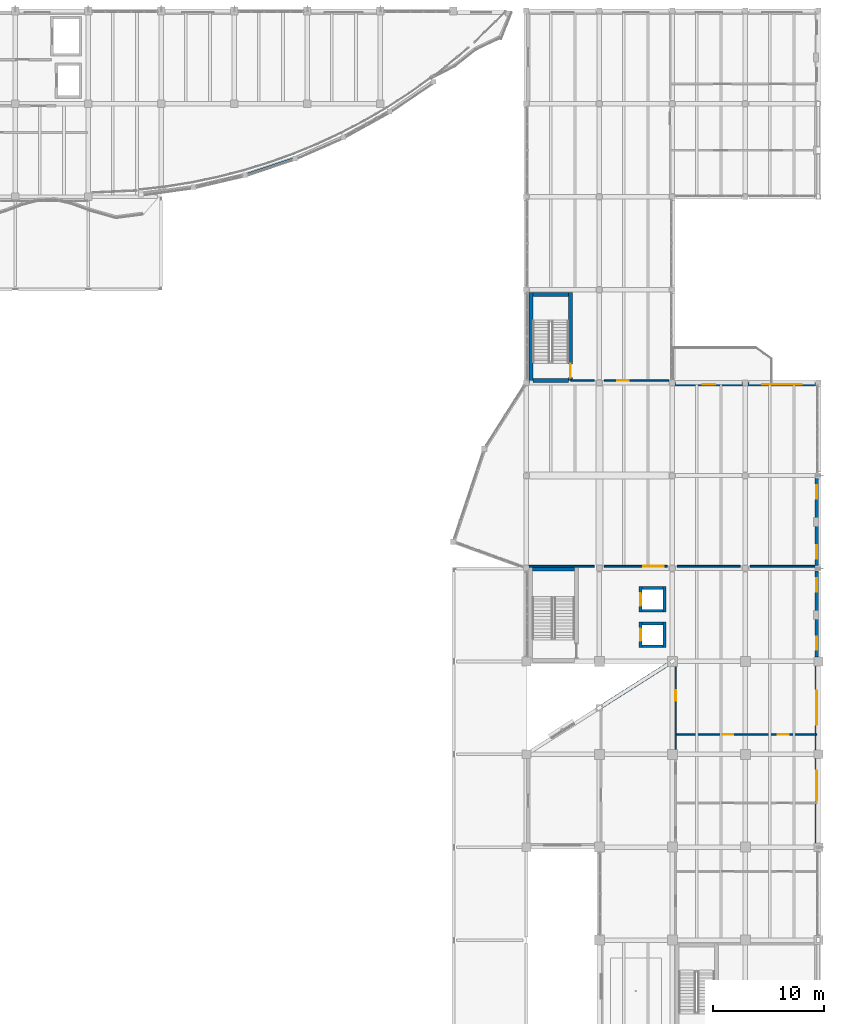
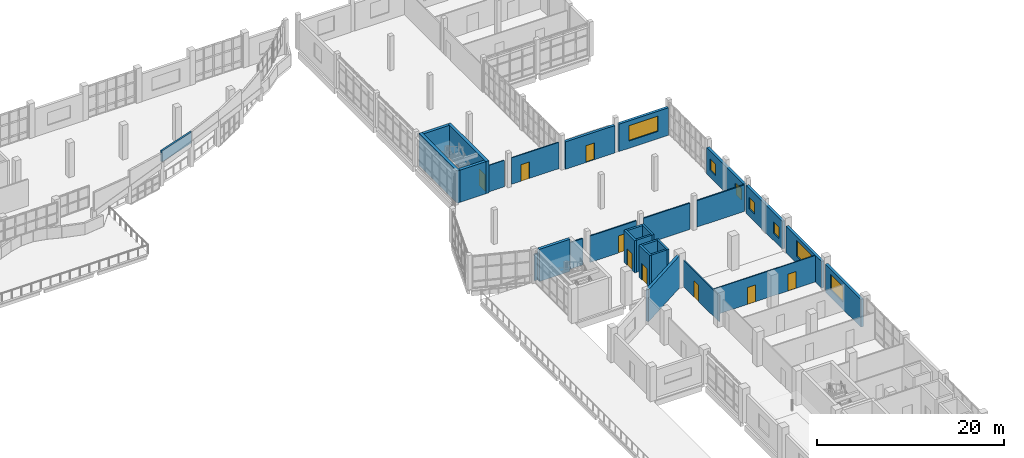
# One storey, part 58 of 83: 29 walls, 9 doors, 7 windows, 16 openings.
"""IFC4 building model written with IfcOpenShell, lengths in metres."""

from ifc_helpers import new_model, si_unit, direction, frame, frame_2d, origin, place, context, subcontext, project, spatial, rectangle, extrude, material, layer, layer_set, type_object, element, fill, save


model = new_model("IFC4")

# Units and contexts
model_context = context("Model", 3, precision=1e-05, world=origin(), true_north=direction((0.0, 1.0)))
body_context = subcontext(model_context, "Body", "Model", "MODEL_VIEW")
ifc_project = project(units=[si_unit("LENGTHUNIT", "METRE"), si_unit("AREAUNIT", "SQUARE_METRE"), si_unit("VOLUMEUNIT", "CUBIC_METRE"), si_unit("PLANEANGLEUNIT", "RADIAN"), si_unit("MASSUNIT", "GRAM", prefix="KILO")], contexts=[model_context])

# Site, building, storey
site_placement = place(None, origin())
site = spatial("IfcSite", under=ifc_project, at=site_placement, CompositionType="ELEMENT")
building_placement = place(site_placement, origin())
building = spatial("IfcBuilding", under=site, at=building_placement, Name="Qaldarim Faculty of Natural and Applied Sciences", CompositionType="ELEMENT")
storey_placement = place(building_placement, frame((0.0, 0.0, 5.39990234375)))
storey = spatial("IfcBuildingStorey", under=building, at=storey_placement, Name="L01", CompositionType="ELEMENT", Elevation=5.39990234375)

# Wall
ifc_material_1 = material(Name="Painted gypsum partition board")
ifc_layer_1 = layer(ifc_material_1, 0.1201171875)
ifc_layer_set_1 = layer_set([ifc_layer_1], Name="Painted gypsum partition board")
wall_type_1 = type_object("IfcWallType", Name="AcousticPartition-120", PredefinedType="PARTITIONING", material=ifc_layer_set_1)
wall_1_placement = place(storey_placement, frame((155.800048828125, 84.199951171875, 0.0), z_axis=(0.0, 0.0, 1.0), x_axis=(1.0, 0.0, 0.0)))
element("IfcWall", 1, at=wall_1_placement, inside=storey, type_object=wall_type_1, Name="Interior partition PRT-L01-V3-CMPS-S1", PredefinedType="PARTITIONING", context=body_context, shape_type="SweptSolid", body=[
    extrude(rectangle(XDim=2.14990234375, YDim=0.1201171875, at=frame_2d((1.074951171875, 0.0))), origin(), (0.0, 0.0, 1.0), 3.4501953125),
])

# Wall, opening, door
wall_2_placement = place(storey_placement, frame((158.85009765625, 84.199951171875, 0.0), z_axis=(0.0, 0.0, 1.0), x_axis=(1.0, 0.0, 0.0)))
wall_2 = element("IfcWall", 2, at=wall_2_placement, inside=storey, type_object=wall_type_1, Name="Interior partition PRT-L01-V3-CMPS-S2", PredefinedType="PARTITIONING", context=body_context, shape_type="SweptSolid", body=[
    extrude(rectangle(XDim=5.829833984375, YDim=0.1201171875, at=frame_2d((2.9150390625, 0.0))), origin(), (0.0, 0.0, 1.0), 3.4501953125),
])
opening_1_placement = place(wall_2_placement, frame((1.14990234375, 0.0, 0.0)))
opening_1 = element("IfcOpeningElement", 3, at=opening_1_placement, cuts=wall_2, Name="Opening ID02", PredefinedType="OPENING", context=body_context, shape_type="SweptSolid", body=[
    extrude(rectangle(XDim=1.050048828125, YDim=2.14990234375, at=frame_2d((0.52490234375, 1.074951171875))), frame((0.0, 0.070068359375, 0.0), z_axis=(0.0, -1.0, 0.0), x_axis=(1.0, 0.0, 0.0)), (0.0, 0.0, 1.0), 0.14013671875),
])
ifc_material_2 = material(Name="Oak hardwood", Category="wood")
door_type_1 = type_object("IfcDoorType", Name="AccessibleRoomDoor-1050x2150", OperationType="NOTDEFINED", PredefinedType="DOOR", material=ifc_material_2)
door_1_placement = place(opening_1_placement, origin())
door_1 = element("IfcDoor", 4, at=door_1_placement, inside=storey, type_object=door_type_1, Name="Interior door D-L01-198", OperationType="SINGLE_SWING_LEFT", OverallHeight=2.14990234375, OverallWidth=1.050048828125, PredefinedType="DOOR", context=body_context, shape_type="SweptSolid", body=[
    extrude(rectangle(XDim=1.050048828125, YDim=2.14990234375, at=frame_2d((0.52490234375, 1.074951171875))), frame((0.0, 0.02490234375, 0.0), z_axis=(0.0, -1.0, 0.0), x_axis=(1.0, 0.0, 0.0)), (0.0, 0.0, 1.0), 0.050048828125),
])
fill(opening_1, door_1)

wall_3_placement = place(storey_placement, frame((165.300048828125, 50.85009765625, 0.0), z_axis=(0.0, 0.0, 1.0), x_axis=(0.0, 1.0, 0.0)))
wall_3 = element("IfcWall", 5, at=wall_3_placement, inside=storey, type_object=wall_type_1, Name="Interior partition PRT-L01-V5-OFFW-S3", PredefinedType="PARTITIONING", context=body_context, shape_type="SweptSolid", body=[
    extrude(rectangle(XDim=7.64990234375, YDim=0.1201171875, at=frame_2d((3.824951171875, 0.0))), origin(), (0.0, 0.0, 1.0), 3.4501953125),
])
opening_2_placement = place(wall_3_placement, frame((4.39990234375, 0.0, 0.0)))
opening_2 = element("IfcOpeningElement", 6, at=opening_2_placement, cuts=wall_3, Name="Opening ID01", PredefinedType="OPENING", context=body_context, shape_type="SweptSolid", body=[
    extrude(rectangle(XDim=0.949951171875, YDim=2.14990234375, at=frame_2d((0.47509765625, 1.074951171875))), frame((0.0, 0.070068359375, 0.0), z_axis=(0.0, -1.0, 0.0), x_axis=(1.0, 0.0, 0.0)), (0.0, 0.0, 1.0), 0.14013671875),
])
door_type_2 = type_object("IfcDoorType", Name="SingleRoomDoor-950x2150", OperationType="NOTDEFINED", PredefinedType="DOOR", material=ifc_material_2)
door_2_placement = place(opening_2_placement, origin())
door_2 = element("IfcDoor", 7, at=door_2_placement, inside=storey, type_object=door_type_2, Name="Interior door D-L01-204", OperationType="SINGLE_SWING_RIGHT", OverallHeight=2.14990234375, OverallWidth=0.949951171875, PredefinedType="DOOR", context=body_context, shape_type="SweptSolid", body=[
    extrude(rectangle(XDim=0.949951171875, YDim=2.14990234375, at=frame_2d((0.47509765625, 1.074951171875))), frame((0.0, 0.02490234375, 0.0), z_axis=(0.0, -1.0, 0.0), x_axis=(1.0, 0.0, 0.0)), (0.0, 0.0, 1.0), 0.050048828125),
])
fill(opening_2, door_2)

# Wall, openings, doors
wall_4_placement = place(storey_placement, frame((165.300048828125, 52.199951171875, 0.0), z_axis=(0.0, 0.0, 1.0), x_axis=(1.0, 0.0, 0.0)))
wall_4 = element("IfcWall", 8, at=wall_4_placement, inside=storey, type_object=wall_type_1, Name="Interior partition PRT-L01-V5-SUB-3", PredefinedType="PARTITIONING", context=body_context, shape_type="SweptSolid", body=[
    extrude(rectangle(XDim=12.75, YDim=0.1201171875, at=frame_2d((6.375, 0.0))), origin(), (0.0, 0.0, 1.0), 3.4501953125),
])
opening_3_placement = place(wall_4_placement, frame((4.199951171875, 0.0, 0.0)))
opening_3 = element("IfcOpeningElement", 9, at=opening_3_placement, cuts=wall_4, Name="Opening ID08", PredefinedType="OPENING", context=body_context, shape_type="SweptSolid", body=[
    extrude(rectangle(XDim=1.0, YDim=2.199951171875, at=frame_2d((0.5, 1.10009765625))), frame((0.0, 0.070068359375, 0.0), z_axis=(0.0, -1.0, 0.0), x_axis=(1.0, 0.0, 0.0)), (0.0, 0.0, 1.0), 0.14013671875),
])
opening_4_placement = place(wall_4_placement, frame((9.199951171875, 0.0, 0.0)))
opening_4 = element("IfcOpeningElement", 10, at=opening_4_placement, cuts=wall_4, Name="Opening ID08", PredefinedType="OPENING", context=body_context, shape_type="SweptSolid", body=[
    extrude(rectangle(XDim=1.0, YDim=2.199951171875, at=frame_2d((0.5, 1.10009765625))), frame((0.0, 0.070068359375, 0.0), z_axis=(0.0, -1.0, 0.0), x_axis=(1.0, 0.0, 0.0)), (0.0, 0.0, 1.0), 0.14013671875),
])
door_type_3 = type_object("IfcDoorType", Name="SeminarRoomDoor-1000x2200", OperationType="NOTDEFINED", PredefinedType="DOOR", material=ifc_material_2)
door_3_placement = place(opening_3_placement, origin())
door_3 = element("IfcDoor", 11, at=door_3_placement, inside=storey, type_object=door_type_3, Name="Interior door D-L01-315", OperationType="SINGLE_SWING_LEFT", OverallHeight=2.199951171875, OverallWidth=1.0, PredefinedType="DOOR", context=body_context, shape_type="SweptSolid", body=[
    extrude(rectangle(XDim=1.0, YDim=2.199951171875, at=frame_2d((0.5, 1.10009765625))), frame((0.0, 0.02490234375, 0.0), z_axis=(0.0, -1.0, 0.0), x_axis=(1.0, 0.0, 0.0)), (0.0, 0.0, 1.0), 0.050048828125),
])
fill(opening_3, door_3)
door_4_placement = place(opening_4_placement, origin())
door_4 = element("IfcDoor", 12, at=door_4_placement, inside=storey, type_object=door_type_3, Name="Interior door D-L01-316", OperationType="SINGLE_SWING_RIGHT", OverallHeight=2.199951171875, OverallWidth=1.0, PredefinedType="DOOR", context=body_context, shape_type="SweptSolid", body=[
    extrude(rectangle(XDim=1.0, YDim=2.199951171875, at=frame_2d((0.5, 1.10009765625))), frame((0.0, 0.02490234375, 0.0), z_axis=(0.0, -1.0, 0.0), x_axis=(1.0, 0.0, 0.0)), (0.0, 0.0, 1.0), 0.050048828125),
])
fill(opening_4, door_4)

# Walls
ifc_material_3 = material(Name="Concrete C50/60", Category="concrete")
ifc_layer_2 = layer(ifc_material_3, 0.360107421875)
ifc_layer_set_2 = layer_set([ifc_layer_2], Name="Concrete C50/60")
wall_type_2 = type_object("IfcWallType", Name="CoreShearWall-360", PredefinedType="SHEAR", material=ifc_layer_set_2)
wall_5_placement = place(storey_placement, frame((152.35009765625, 67.1298828125, 0.0), z_axis=(0.0, 0.0, 1.0), x_axis=(1.0, 0.0, 0.0)))
element("IfcWall", 13, at=wall_5_placement, inside=storey, type_object=wall_type_2, Name="Core stair ST-C1 north shear wall L01", PredefinedType="SHEAR", context=body_context, shape_type="SweptSolid", body=[
    extrude(rectangle(XDim=3.7998046875, YDim=0.360107421875, at=frame_2d((1.89990234375, 0.0))), origin(), (0.0, 0.0, 1.0), 4.2001953125),
])
wall_6_placement = place(storey_placement, frame((152.219970703125, 83.989990234375, 0.0), z_axis=(0.0, 0.0, 1.0), x_axis=(0.0, 1.0, 0.0)))
element("IfcWall", 14, at=wall_6_placement, inside=storey, type_object=wall_type_2, Name="Core stair ST-C2 west shear wall L01", PredefinedType="SHEAR", context=body_context, shape_type="SweptSolid", body=[
    extrude(rectangle(XDim=8.169921875, YDim=0.360107421875, at=frame_2d((4.0849609375, 0.0))), origin(), (0.0, 0.0, 1.0), 4.2001953125),
])

# Wall, opening, door
wall_7_placement = place(storey_placement, frame((155.780029296875, 83.989990234375, 0.0), z_axis=(0.0, 0.0, 1.0), x_axis=(0.0, 1.0, 0.0)))
wall_7 = element("IfcWall", 15, at=wall_7_placement, inside=storey, type_object=wall_type_2, Name="Core stair ST-C2 east shear wall L01", PredefinedType="SHEAR", context=body_context, shape_type="SweptSolid", body=[
    extrude(rectangle(XDim=8.169921875, YDim=0.360107421875, at=frame_2d((4.0849609375, 0.0))), origin(), (0.0, 0.0, 1.0), 4.2001953125),
])
opening_5_placement = place(wall_7_placement, frame((0.449951171875, 0.0, 0.0)))
opening_5 = element("IfcOpeningElement", 16, at=opening_5_placement, cuts=wall_7, Name="Opening ID04", PredefinedType="OPENING", context=body_context, shape_type="SweptSolid", body=[
    extrude(rectangle(XDim=1.25, YDim=2.14990234375, at=frame_2d((0.625, 1.074951171875))), frame((0.0, 0.18994140625, 0.0), z_axis=(0.0, -1.0, 0.0), x_axis=(1.0, 0.0, 0.0)), (0.0, 0.0, 1.0), 0.380126953125),
])
ifc_material_4 = material(Name="Architectural stainless steel 316", Category="steel")
door_type_4 = type_object("IfcDoorType", Name="StairEnclosureFireDoor-1250x2150", OperationType="NOTDEFINED", PredefinedType="DOOR", material=ifc_material_4)
door_5_placement = place(opening_5_placement, origin())
door_5 = element("IfcDoor", 17, at=door_5_placement, inside=storey, type_object=door_type_4, Name="Protected stair ST-C2 fire door D-L01-545", OperationType="SINGLE_SWING_LEFT", OverallHeight=2.14990234375, OverallWidth=1.25, PredefinedType="DOOR", context=body_context, shape_type="SweptSolid", body=[
    extrude(rectangle(XDim=1.25, YDim=2.14990234375, at=frame_2d((0.625, 1.074951171875))), frame((0.0, 0.02490234375, 0.0), z_axis=(0.0, -1.0, 0.0), x_axis=(1.0, 0.0, 0.0)), (0.0, 0.0, 1.0), 0.050048828125),
])
fill(opening_5, door_5)

# Walls
for number, where, z_axis, x_axis, name in (
    (18, (152.39990234375, 91.97998046875, 0.0), (0.0, 0.0, 1.0), (1.0, 0.0, 0.0), "Core stair ST-C2 north shear wall L01"),
    (19, (152.39990234375, 84.169921875, 0.0), (0.0, 0.0, 1.0), (1.0, 0.0, 0.0), "Core stair ST-C2 south shear wall L01"),
):
    element("IfcWall", number, at=place(storey_placement, frame(where, z_axis=z_axis, x_axis=x_axis)), inside=storey, type_object=wall_type_2, Name=name, PredefinedType="SHEAR", context=body_context, shape_type="SweptSolid", body=[
        extrude(rectangle(XDim=3.2001953125, YDim=0.360107421875, at=frame_2d((1.60009765625, 0.0))), origin(), (0.0, 0.0, 1.0), 4.2001953125),
    ])

# Wall, opening, door
ifc_material_5 = material(Name="Precast concrete C40/50", Category="concrete")
ifc_layer_3 = layer(ifc_material_5, 0.320068359375)
ifc_layer_set_3 = layer_set([ifc_layer_3], Name="Precast concrete C40/50")
wall_type_3 = type_object("IfcWallType", Name="ExteriorLimestoneWall-320", PredefinedType="SOLIDWALL", material=ifc_layer_set_3)
wall_8_placement = place(storey_placement, frame((171.35498046875, 83.840087890625, 0.0), z_axis=(0.0, 0.0, 1.0), x_axis=(-1.0, 0.0, 0.0)))
wall_8 = element("IfcWall", 20, at=wall_8_placement, inside=storey, type_object=wall_type_3, Name="Exterior wall EW01 L01 N X26Y10", PredefinedType="SOLIDWALL", context=body_context, shape_type="SweptSolid", body=[
    extrude(rectangle(XDim=6.10986328125, YDim=0.320068359375, at=frame_2d((3.054931640625, 0.0))), origin(), (0.0, 0.0, 1.0), 3.585205078125),
])
opening_6_placement = place(wall_8_placement, frame((2.5048828125, 0.0, 0.0)))
opening_6 = element("IfcOpeningElement", 21, at=opening_6_placement, cuts=wall_8, Name="Opening ED03", PredefinedType="OPENING", context=body_context, shape_type="SweptSolid", body=[
    extrude(rectangle(XDim=1.10009765625, YDim=2.199951171875, at=frame_2d((0.550048828125, 1.10009765625))), frame((0.0, 0.169921875, 0.0), z_axis=(0.0, -1.0, 0.0), x_axis=(1.0, 0.0, 0.0)), (0.0, 0.0, 1.0), 0.340087890625),
])
ifc_material_6 = material(Name="Anodised aluminium AW-6063", Category="aluminium")
door_type_5 = type_object("IfcDoorType", Name="TerraceAccessDoor-1100x2200", OperationType="NOTDEFINED", PredefinedType="DOOR", material=ifc_material_6)
door_6_placement = place(opening_6_placement, frame((1.10009765625, 0.0, 0.0), z_axis=(0.0, 0.0, 1.0), x_axis=(-1.0, 0.0, 0.0)))
door_6 = element("IfcDoor", 22, at=door_6_placement, inside=storey, type_object=door_type_5, Name="Terrace access door D-L01-022", OperationType="SINGLE_SWING_LEFT", OverallHeight=2.199951171875, OverallWidth=1.10009765625, PredefinedType="DOOR", context=body_context, shape_type="SweptSolid", body=[
    extrude(rectangle(XDim=1.10009765625, YDim=2.199951171875, at=frame_2d((0.550048828125, 1.10009765625))), frame((0.0, 0.02490234375, 0.0), z_axis=(0.0, -1.0, 0.0), x_axis=(1.0, 0.0, 0.0)), (0.0, 0.0, 1.0), 0.050048828125),
])
fill(opening_6, door_6)

# Wall, opening, window
wall_9_placement = place(storey_placement, frame((178.0400390625, 42.39501953125, 0.0), z_axis=(0.0, 0.0, 1.0), x_axis=(0.0, 1.0, 0.0)))
wall_9 = element("IfcWall", 23, at=wall_9_placement, inside=storey, type_object=wall_type_3, Name="Exterior wall EW01 L01 E X27Y06", PredefinedType="SOLIDWALL", context=body_context, shape_type="SweptSolid", body=[
    extrude(rectangle(XDim=7.60986328125, YDim=0.320068359375, at=frame_2d((3.804931640625, 0.0))), origin(), (0.0, 0.0, 1.0), 3.635009765625),
])
opening_7_placement = place(wall_9_placement, frame((3.824951171875, 0.0, 0.949951171875)))
opening_7 = element("IfcOpeningElement", 24, at=opening_7_placement, cuts=wall_9, Name="Opening WN29", PredefinedType="OPENING", context=body_context, shape_type="SweptSolid", body=[
    extrude(rectangle(XDim=2.699951171875, YDim=2.050048828125, at=frame_2d((1.35009765625, 1.02490234375))), frame((0.0, 0.169921875, 0.0), z_axis=(0.0, -1.0, 0.0), x_axis=(1.0, 0.0, 0.0)), (0.0, 0.0, 1.0), 0.340087890625),
])
ifc_material_7 = material(Name="Insulated low-e double glazing", Category="glass")
window_type_1 = type_object("IfcWindowType", Name="GalleryWindow-2700x2050", PartitioningType="TRIPLE_PANEL_VERTICAL", PredefinedType="WINDOW", material=ifc_material_7)
window_1_placement = place(opening_7_placement, origin())
window_1 = element("IfcWindow", 25, at=window_1_placement, inside=storey, type_object=window_type_1, Name="Facade window WN29 L01 E X27Y06", OverallHeight=2.050048828125, OverallWidth=2.699951171875, PartitioningType="SINGLE_PANEL", PredefinedType="WINDOW", context=body_context, shape_type="SweptSolid", body=[
    extrude(rectangle(XDim=2.699951171875, YDim=2.050048828125, at=frame_2d((1.35009765625, 1.02490234375))), frame((0.0, 0.030029296875, 0.0), z_axis=(0.0, -1.0, 0.0), x_axis=(1.0, 0.0, 0.0)), (0.0, 0.0, 1.0), 0.06005859375),
])
fill(opening_7, window_1)

wall_10_placement = place(storey_placement, frame((178.0400390625, 50.794921875, 0.0), z_axis=(0.0, 0.0, 1.0), x_axis=(0.0, 1.0, 0.0)))
wall_10 = element("IfcWall", 26, at=wall_10_placement, inside=storey, type_object=wall_type_3, Name="Exterior wall EW01 L01 E X27Y07", PredefinedType="SOLIDWALL", context=body_context, shape_type="SweptSolid", body=[
    extrude(rectangle(XDim=7.610107421875, YDim=0.320068359375, at=frame_2d((3.80517578125, 0.0))), origin(), (0.0, 0.0, 1.0), 3.485107421875),
])
opening_8_placement = place(wall_10_placement, frame((2.2548828125, 0.0, 0.949951171875)))
opening_8 = element("IfcOpeningElement", 27, at=opening_8_placement, cuts=wall_10, Name="Opening WN30", PredefinedType="OPENING", context=body_context, shape_type="SweptSolid", body=[
    extrude(rectangle(XDim=3.10009765625, YDim=2.050048828125, at=frame_2d((1.550048828125, 1.02490234375))), frame((0.0, 0.169921875, 0.0), z_axis=(0.0, -1.0, 0.0), x_axis=(1.0, 0.0, 0.0)), (0.0, 0.0, 1.0), 0.340087890625),
])
window_type_2 = type_object("IfcWindowType", Name="GalleryWindow-3100x2050", PartitioningType="TRIPLE_PANEL_VERTICAL", PredefinedType="WINDOW", material=ifc_material_7)
window_2_placement = place(opening_8_placement, origin())
window_2 = element("IfcWindow", 28, at=window_2_placement, inside=storey, type_object=window_type_2, Name="Facade window WN30 L01 E X27Y07", OverallHeight=2.050048828125, OverallWidth=3.10009765625, PartitioningType="SINGLE_PANEL", PredefinedType="WINDOW", context=body_context, shape_type="SweptSolid", body=[
    extrude(rectangle(XDim=3.10009765625, YDim=2.050048828125, at=frame_2d((1.550048828125, 1.02490234375))), frame((0.0, 0.030029296875, 0.0), z_axis=(0.0, -1.0, 0.0), x_axis=(1.0, 0.0, 0.0)), (0.0, 0.0, 1.0), 0.06005859375),
])
fill(opening_8, window_2)

# Wall, openings, windows
wall_11_placement = place(storey_placement, frame((178.0400390625, 59.195068359375, 0.0), z_axis=(0.0, 0.0, 1.0), x_axis=(0.0, 1.0, 0.0)))
wall_11 = element("IfcWall", 29, at=wall_11_placement, inside=storey, type_object=wall_type_3, Name="Exterior wall EW01 L01 E X27Y08", PredefinedType="SOLIDWALL", context=body_context, shape_type="SweptSolid", body=[
    extrude(rectangle(XDim=7.760009765625, YDim=0.320068359375, at=frame_2d((3.8798828125, 0.0))), origin(), (0.0, 0.0, 1.0), 3.635009765625),
])
opening_9_placement = place(wall_11_placement, frame((0.64990234375, 0.0, 0.949951171875)))
opening_9 = element("IfcOpeningElement", 30, at=opening_9_placement, cuts=wall_11, Name="Opening WN01", PredefinedType="OPENING", context=body_context, shape_type="SweptSolid", body=[
    extrude(rectangle(XDim=1.199951171875, YDim=1.5, at=frame_2d((0.60009765625, 0.75))), frame((0.0, 0.169921875, 0.0), z_axis=(0.0, -1.0, 0.0), x_axis=(1.0, 0.0, 0.0)), (0.0, 0.0, 1.0), 0.340087890625),
])
opening_10_placement = place(wall_11_placement, frame((5.909912109375, 0.0, 0.949951171875)))
opening_10 = element("IfcOpeningElement", 31, at=opening_10_placement, cuts=wall_11, Name="Opening WN01", PredefinedType="OPENING", context=body_context, shape_type="SweptSolid", body=[
    extrude(rectangle(XDim=1.199951171875, YDim=1.5, at=frame_2d((0.60009765625, 0.75))), frame((0.0, 0.169921875, 0.0), z_axis=(0.0, -1.0, 0.0), x_axis=(1.0, 0.0, 0.0)), (0.0, 0.0, 1.0), 0.340087890625),
])
window_type_3 = type_object("IfcWindowType", Name="Window-1200x1500", PartitioningType="SINGLE_PANEL", PredefinedType="WINDOW", material=ifc_material_7)
window_3_placement = place(opening_9_placement, origin())
window_3 = element("IfcWindow", 32, at=window_3_placement, inside=storey, type_object=window_type_3, Name="Pilaster-bay flanking window L01 E X27Y08-1", OverallHeight=1.5, OverallWidth=1.199951171875, PartitioningType="SINGLE_PANEL", PredefinedType="WINDOW", context=body_context, shape_type="SweptSolid", body=[
    extrude(rectangle(XDim=1.199951171875, YDim=1.5, at=frame_2d((0.60009765625, 0.75))), frame((0.0, 0.030029296875, 0.0), z_axis=(0.0, -1.0, 0.0), x_axis=(1.0, 0.0, 0.0)), (0.0, 0.0, 1.0), 0.06005859375),
])
fill(opening_9, window_3)
window_4_placement = place(opening_10_placement, origin())
window_4 = element("IfcWindow", 33, at=window_4_placement, inside=storey, type_object=window_type_3, Name="Pilaster-bay flanking window L01 E X27Y08-2", OverallHeight=1.5, OverallWidth=1.199951171875, PartitioningType="SINGLE_PANEL", PredefinedType="WINDOW", context=body_context, shape_type="SweptSolid", body=[
    extrude(rectangle(XDim=1.199951171875, YDim=1.5, at=frame_2d((0.60009765625, 0.75))), frame((0.0, 0.030029296875, 0.0), z_axis=(0.0, -1.0, 0.0), x_axis=(1.0, 0.0, 0.0)), (0.0, 0.0, 1.0), 0.06005859375),
])
fill(opening_10, window_4)

wall_12_placement = place(storey_placement, frame((178.0400390625, 67.445068359375, 0.0), z_axis=(0.0, 0.0, 1.0), x_axis=(0.0, 1.0, 0.0)))
wall_12 = element("IfcWall", 34, at=wall_12_placement, inside=storey, type_object=wall_type_3, Name="Exterior wall EW01 L01 E X27Y09", PredefinedType="SOLIDWALL", context=body_context, shape_type="SweptSolid", body=[
    extrude(rectangle(XDim=7.909912109375, YDim=0.320068359375, at=frame_2d((3.955078125, 0.0))), origin(), (0.0, 0.0, 1.0), 3.485107421875),
])
opening_11_placement = place(wall_12_placement, frame((0.64990234375, 0.0, 0.949951171875)))
opening_11 = element("IfcOpeningElement", 35, at=opening_11_placement, cuts=wall_12, Name="Opening WN01", PredefinedType="OPENING", context=body_context, shape_type="SweptSolid", body=[
    extrude(rectangle(XDim=1.199951171875, YDim=1.5, at=frame_2d((0.60009765625, 0.75))), frame((0.0, 0.169921875, 0.0), z_axis=(0.0, -1.0, 0.0), x_axis=(1.0, 0.0, 0.0)), (0.0, 0.0, 1.0), 0.340087890625),
])
opening_12_placement = place(wall_12_placement, frame((6.06005859375, 0.0, 0.949951171875)))
opening_12 = element("IfcOpeningElement", 36, at=opening_12_placement, cuts=wall_12, Name="Opening WN01", PredefinedType="OPENING", context=body_context, shape_type="SweptSolid", body=[
    extrude(rectangle(XDim=1.199951171875, YDim=1.5, at=frame_2d((0.60009765625, 0.75))), frame((0.0, 0.169921875, 0.0), z_axis=(0.0, -1.0, 0.0), x_axis=(1.0, 0.0, 0.0)), (0.0, 0.0, 1.0), 0.340087890625),
])
window_5_placement = place(opening_11_placement, origin())
window_5 = element("IfcWindow", 37, at=window_5_placement, inside=storey, type_object=window_type_3, Name="Pilaster-bay flanking window L01 E X27Y09-1", OverallHeight=1.5, OverallWidth=1.199951171875, PartitioningType="SINGLE_PANEL", PredefinedType="WINDOW", context=body_context, shape_type="SweptSolid", body=[
    extrude(rectangle(XDim=1.199951171875, YDim=1.5, at=frame_2d((0.60009765625, 0.75))), frame((0.0, 0.030029296875, 0.0), z_axis=(0.0, -1.0, 0.0), x_axis=(1.0, 0.0, 0.0)), (0.0, 0.0, 1.0), 0.06005859375),
])
fill(opening_11, window_5)
window_6_placement = place(opening_12_placement, origin())
window_6 = element("IfcWindow", 38, at=window_6_placement, inside=storey, type_object=window_type_3, Name="Pilaster-bay flanking window L01 E X27Y09-2", OverallHeight=1.5, OverallWidth=1.199951171875, PartitioningType="SINGLE_PANEL", PredefinedType="WINDOW", context=body_context, shape_type="SweptSolid", body=[
    extrude(rectangle(XDim=1.199951171875, YDim=1.5, at=frame_2d((0.60009765625, 0.75))), frame((0.0, 0.030029296875, 0.0), z_axis=(0.0, -1.0, 0.0), x_axis=(1.0, 0.0, 0.0)), (0.0, 0.0, 1.0), 0.06005859375),
])
fill(opening_12, window_6)

# Wall, opening, window
wall_13_placement = place(storey_placement, frame((177.955078125, 83.840087890625, 0.0), z_axis=(0.0, 0.0, 1.0), x_axis=(-1.0, 0.0, 0.0)))
wall_13 = element("IfcWall", 39, at=wall_13_placement, inside=storey, type_object=wall_type_3, Name="Exterior wall EW01 L01 N X27Y10", PredefinedType="SOLIDWALL", context=body_context, shape_type="SweptSolid", body=[
    extrude(rectangle(XDim=6.110107421875, YDim=0.320068359375, at=frame_2d((3.05517578125, 0.0))), origin(), (0.0, 0.0, 1.0), 3.585205078125),
])
opening_13_placement = place(wall_13_placement, frame((1.2548828125, 0.0, 0.949951171875)))
opening_13 = element("IfcOpeningElement", 40, at=opening_13_placement, cuts=wall_13, Name="Opening WN07", PredefinedType="OPENING", context=body_context, shape_type="SweptSolid", body=[
    extrude(rectangle(XDim=3.60009765625, YDim=2.0, at=frame_2d((1.800048828125, 1.0))), frame((0.0, 0.169921875, 0.0), z_axis=(0.0, -1.0, 0.0), x_axis=(1.0, 0.0, 0.0)), (0.0, 0.0, 1.0), 0.340087890625),
])
window_type_4 = type_object("IfcWindowType", Name="Window-3600x2000", PartitioningType="TRIPLE_PANEL_VERTICAL", PredefinedType="WINDOW", material=ifc_material_7)
window_7_placement = place(opening_13_placement, origin())
window_7 = element("IfcWindow", 41, at=window_7_placement, inside=storey, type_object=window_type_4, Name="Facade window WN07 L01 N X27Y10", OverallHeight=2.0, OverallWidth=3.60009765625, PartitioningType="SINGLE_PANEL", PredefinedType="WINDOW", context=body_context, shape_type="SweptSolid", body=[
    extrude(rectangle(XDim=3.60009765625, YDim=2.0, at=frame_2d((1.800048828125, 1.0))), frame((0.0, 0.030029296875, 0.0), z_axis=(0.0, -1.0, 0.0), x_axis=(1.0, 0.0, 0.0)), (0.0, 0.0, 1.0), 0.06005859375),
])
fill(opening_13, window_7)

# Walls
ifc_layer_4 = layer(ifc_material_3, 0.340087890625)
ifc_layer_set_4 = layer_set([ifc_layer_4], Name="Concrete C50/60")
wall_type_4 = type_object("IfcWallType", Name="ExteriorStairShearWall-340", PredefinedType="SHEAR", material=ifc_layer_set_4)
wall_14_placement = place(storey_placement, frame((158.64990234375, 54.760009765625, 0.0), z_axis=(0.0, 0.0, 1.0), x_axis=(0.843786613851, 0.536678814829, 0.0)))
element("IfcWall", 42, at=wall_14_placement, inside=storey, type_object=wall_type_4, Name="Oblique NW chamfer braced wall L01 2", PredefinedType="SHEAR", context=body_context, shape_type="SweptSolid", body=[
    extrude(rectangle(XDim=7.2294921875, YDim=0.340087890625, at=frame_2d((3.61474609375, 0.0))), origin(), (0.0, 0.0, 1.0), 4.2001953125),
])
ifc_material_8 = material(Name="Concrete C40/50", Category="concrete")
ifc_layer_5 = layer(ifc_material_8, 0.159912109375)
ifc_layer_set_5 = layer_set([ifc_layer_5], Name="Concrete C40/50")
wall_type_5 = type_object("IfcWallType", Name="FireCorridorWall-160", PredefinedType="PARTITIONING", material=ifc_layer_set_5)
wall_15_placement = place(storey_placement, frame((152.0, 67.39990234375, 0.0), z_axis=(0.0, 0.0, 1.0), x_axis=(1.0, 0.0, 0.0)))
element("IfcWall", 43, at=wall_15_placement, inside=storey, type_object=wall_type_5, Name="Interior partition PRT-L01-V3-COMS-S1", PredefinedType="PARTITIONING", context=body_context, shape_type="SweptSolid", body=[
    extrude(rectangle(XDim=5.949951171875, YDim=0.159912109375, at=frame_2d((2.97509765625, 0.0))), origin(), (0.0, 0.0, 1.0), 3.4501953125),
])

# Wall, opening, door
wall_16_placement = place(storey_placement, frame((158.85009765625, 67.39990234375, 0.0), z_axis=(0.0, 0.0, 1.0), x_axis=(1.0, 0.0, 0.0)))
wall_16 = element("IfcWall", 44, at=wall_16_placement, inside=storey, type_object=wall_type_5, Name="Interior partition PRT-L01-V3-COMS-S2", PredefinedType="PARTITIONING", context=body_context, shape_type="SweptSolid", body=[
    extrude(rectangle(XDim=5.699951171875, YDim=0.159912109375, at=frame_2d((2.85009765625, 0.0))), origin(), (0.0, 0.0, 1.0), 3.4501953125),
])
opening_14_placement = place(wall_16_placement, frame((3.5, 0.0, 0.0)))
opening_14 = element("IfcOpeningElement", 45, at=opening_14_placement, cuts=wall_16, Name="Opening ID05", PredefinedType="OPENING", context=body_context, shape_type="SweptSolid", body=[
    extrude(rectangle(XDim=1.85009765625, YDim=2.25, at=frame_2d((0.925048828125, 1.125))), frame((0.0, 0.08984375, 0.0), z_axis=(0.0, -1.0, 0.0), x_axis=(1.0, 0.0, 0.0)), (0.0, 0.0, 1.0), 0.179931640625),
])
door_type_6 = type_object("IfcDoorType", Name="LectureDoubleDoor-1850x2250", OperationType="NOTDEFINED", PredefinedType="DOOR", material=ifc_material_2)
door_7_placement = place(opening_14_placement, origin())
door_7 = element("IfcDoor", 46, at=door_7_placement, inside=storey, type_object=door_type_6, Name="Interior door D-L01-197", OperationType="DOUBLE_DOOR_SINGLE_SWING", OverallHeight=2.25, OverallWidth=1.85009765625, PredefinedType="DOOR", context=body_context, shape_type="SweptSolid", body=[
    extrude(rectangle(XDim=1.85009765625, YDim=2.25, at=frame_2d((0.925048828125, 1.125))), frame((0.0, 0.02490234375, 0.0), z_axis=(0.0, -1.0, 0.0), x_axis=(1.0, 0.0, 0.0)), (0.0, 0.0, 1.0), 0.050048828125),
])
fill(opening_14, door_7)

# Walls
wall_17_placement = place(storey_placement, frame((165.449951171875, 67.39990234375, 0.0), z_axis=(0.0, 0.0, 1.0), x_axis=(1.0, 0.0, 0.0)))
element("IfcWall", 47, at=wall_17_placement, inside=storey, type_object=wall_type_5, Name="Interior partition PRT-L01-V3-COMS-S3", PredefinedType="PARTITIONING", context=body_context, shape_type="SweptSolid", body=[
    extrude(rectangle(XDim=5.699951171875, YDim=0.159912109375, at=frame_2d((2.85009765625, 0.0))), origin(), (0.0, 0.0, 1.0), 3.4501953125),
])
wall_18_placement = place(storey_placement, frame((172.050048828125, 67.39990234375, 0.0), z_axis=(0.0, 0.0, 1.0), x_axis=(1.0, 0.0, 0.0)))
element("IfcWall", 48, at=wall_18_placement, inside=storey, type_object=wall_type_5, Name="Interior partition PRT-L01-V3-COMS-S4", PredefinedType="PARTITIONING", context=body_context, shape_type="SweptSolid", body=[
    extrude(rectangle(XDim=5.829833984375, YDim=0.159912109375, at=frame_2d((2.9150390625, 0.0))), origin(), (0.0, 0.0, 1.0), 3.4501953125),
])

# Wall, opening, door
ifc_layer_6 = layer(ifc_material_8, 0.25)
ifc_layer_set_6 = layer_set([ifc_layer_6], Name="Concrete C40/50")
wall_type_6 = type_object("IfcWallType", Name="LiftShaftWall-250", PredefinedType="SHEAR", material=ifc_layer_set_6)
wall_19_placement = place(storey_placement, frame((162.125, 60.050048828125, 0.0), z_axis=(0.0, 0.0, 1.0), x_axis=(0.0, 1.0, 0.0)))
wall_19 = element("IfcWall", 49, at=wall_19_placement, inside=storey, type_object=wall_type_6, Name="Lift LF-C1 front shaft wall L01", PredefinedType="SHEAR", context=body_context, shape_type="SweptSolid", body=[
    extrude(rectangle(XDim=2.300048828125, YDim=0.25, at=frame_2d((1.14990234375, 0.0))), origin(), (0.0, 0.0, 1.0), 4.2001953125),
])
opening_15_placement = place(wall_19_placement, frame((0.60009765625, 0.0, 0.0)))
opening_15 = element("IfcOpeningElement", 50, at=opening_15_placement, cuts=wall_19, Name="Opening LD01", PredefinedType="OPENING", context=body_context, shape_type="SweptSolid", body=[
    extrude(rectangle(XDim=1.10009765625, YDim=2.14990234375, at=frame_2d((0.550048828125, 1.074951171875))), frame((0.0, 0.135009765625, 0.0), z_axis=(0.0, -1.0, 0.0), x_axis=(1.0, 0.0, 0.0)), (0.0, 0.0, 1.0), 0.27001953125),
])
door_type_7 = type_object("IfcDoorType", Name="LiftLandingSlidingDoor-1100x2150", OperationType="NOTDEFINED", PredefinedType="DOOR", material=ifc_material_4)
door_8_placement = place(opening_15_placement, origin())
door_8 = element("IfcDoor", 51, at=door_8_placement, inside=storey, type_object=door_type_7, Name="Lift landing sliding door LF-C1 D-L01-652", OperationType="SLIDING_TO_LEFT", OverallHeight=2.14990234375, OverallWidth=1.10009765625, PredefinedType="DOOR", context=body_context, shape_type="SweptSolid", body=[
    extrude(rectangle(XDim=1.10009765625, YDim=2.14990234375, at=frame_2d((0.550048828125, 1.074951171875))), frame((0.0, 0.02490234375, 0.0), z_axis=(0.0, -1.0, 0.0), x_axis=(1.0, 0.0, 0.0)), (0.0, 0.0, 1.0), 0.050048828125),
])
fill(opening_15, door_8)

# Walls
wall_20_placement = place(storey_placement, frame((164.27490234375, 60.050048828125, 0.0), z_axis=(0.0, 0.0, 1.0), x_axis=(0.0, 1.0, 0.0)))
element("IfcWall", 52, at=wall_20_placement, inside=storey, type_object=wall_type_6, Name="Lift LF-C1 rear shaft wall L01", PredefinedType="SHEAR", context=body_context, shape_type="SweptSolid", body=[
    extrude(rectangle(XDim=2.300048828125, YDim=0.25, at=frame_2d((1.14990234375, 0.0))), origin(), (0.0, 0.0, 1.0), 4.2001953125),
])
for number, where, z_axis, x_axis, name in (
    (53, (162.25, 60.175048828125, 0.0), (0.0, 0.0, 1.0), (1.0, 0.0, 0.0), "Lift LF-C1 south shaft wall L01"),
    (54, (162.25, 62.22509765625, 0.0), (0.0, 0.0, 1.0), (1.0, 0.0, 0.0), "Lift LF-C1 north shaft wall L01"),
):
    element("IfcWall", number, at=place(storey_placement, frame(where, z_axis=z_axis, x_axis=x_axis)), inside=storey, type_object=wall_type_6, Name=name, PredefinedType="SHEAR", context=body_context, shape_type="SweptSolid", body=[
        extrude(rectangle(XDim=1.89990234375, YDim=0.25, at=frame_2d((0.949951171875, 0.0))), origin(), (0.0, 0.0, 1.0), 4.2001953125),
    ])

# Wall, opening, door
wall_21_placement = place(storey_placement, frame((162.125, 63.25, 0.0), z_axis=(0.0, 0.0, 1.0), x_axis=(0.0, 1.0, 0.0)))
wall_21 = element("IfcWall", 55, at=wall_21_placement, inside=storey, type_object=wall_type_6, Name="Lift LF-C2 front shaft wall L01", PredefinedType="SHEAR", context=body_context, shape_type="SweptSolid", body=[
    extrude(rectangle(XDim=2.300048828125, YDim=0.25, at=frame_2d((1.14990234375, 0.0))), origin(), (0.0, 0.0, 1.0), 4.2001953125),
])
opening_16_placement = place(wall_21_placement, frame((0.60009765625, 0.0, 0.0)))
opening_16 = element("IfcOpeningElement", 56, at=opening_16_placement, cuts=wall_21, Name="Opening LD01", PredefinedType="OPENING", context=body_context, shape_type="SweptSolid", body=[
    extrude(rectangle(XDim=1.10009765625, YDim=2.14990234375, at=frame_2d((0.550048828125, 1.074951171875))), frame((0.0, 0.135009765625, 0.0), z_axis=(0.0, -1.0, 0.0), x_axis=(1.0, 0.0, 0.0)), (0.0, 0.0, 1.0), 0.27001953125),
])
door_9_placement = place(opening_16_placement, origin())
door_9 = element("IfcDoor", 57, at=door_9_placement, inside=storey, type_object=door_type_7, Name="Lift landing sliding door LF-C2 D-L01-658", OperationType="SLIDING_TO_LEFT", OverallHeight=2.14990234375, OverallWidth=1.10009765625, PredefinedType="DOOR", context=body_context, shape_type="SweptSolid", body=[
    extrude(rectangle(XDim=1.10009765625, YDim=2.14990234375, at=frame_2d((0.550048828125, 1.074951171875))), frame((0.0, 0.02490234375, 0.0), z_axis=(0.0, -1.0, 0.0), x_axis=(1.0, 0.0, 0.0)), (0.0, 0.0, 1.0), 0.050048828125),
])
fill(opening_16, door_9)

# Walls
wall_22_placement = place(storey_placement, frame((164.27490234375, 63.25, 0.0), z_axis=(0.0, 0.0, 1.0), x_axis=(0.0, 1.0, 0.0)))
element("IfcWall", 58, at=wall_22_placement, inside=storey, type_object=wall_type_6, Name="Lift LF-C2 rear shaft wall L01", PredefinedType="SHEAR", context=body_context, shape_type="SweptSolid", body=[
    extrude(rectangle(XDim=2.300048828125, YDim=0.25, at=frame_2d((1.14990234375, 0.0))), origin(), (0.0, 0.0, 1.0), 4.2001953125),
])
for number, where, z_axis, x_axis, name in (
    (59, (162.25, 63.375, 0.0), (0.0, 0.0, 1.0), (1.0, 0.0, 0.0), "Lift LF-C2 south shaft wall L01"),
    (60, (162.25, 65.425048828125, 0.0), (0.0, 0.0, 1.0), (1.0, 0.0, 0.0), "Lift LF-C2 north shaft wall L01"),
):
    element("IfcWall", number, at=place(storey_placement, frame(where, z_axis=z_axis, x_axis=x_axis)), inside=storey, type_object=wall_type_6, Name=name, PredefinedType="SHEAR", context=body_context, shape_type="SweptSolid", body=[
        extrude(rectangle(XDim=1.89990234375, YDim=0.25, at=frame_2d((0.949951171875, 0.0))), origin(), (0.0, 0.0, 1.0), 4.2001953125),
    ])
ifc_material_9 = material(Name="White architectural precast concrete C40/50", Category="concrete")
ifc_layer_7 = layer(ifc_material_9, 0.219970703125)
ifc_layer_set_7 = layer_set([ifc_layer_7], Name="White architectural precast concrete C40/50")
wall_type_7 = type_object("IfcWallType", Name="WhitePrecastWaveBand-220", PredefinedType="SOLIDWALL", material=ifc_layer_set_7)
wall_23_placement = place(storey_placement, frame((126.360107421875, 102.764892578125, 3.050048828125), z_axis=(0.0, 0.0, 1.0), x_axis=(0.948678184861, 0.316243105172, 0.0)))
element("IfcWall", 61, at=wall_23_placement, inside=storey, type_object=wall_type_7, Name="Lifted white precast portal arch spandrel 03", PredefinedType="SOLIDWALL", context=body_context, shape_type="SweptSolid", body=[
    extrude(rectangle(XDim=4.77490234375, YDim=0.219970703125, at=frame_2d((2.387451171875, 0.0))), origin(), (0.0, 0.0, 1.0), 1.43994140625),
])

save(model, "model.ifc")
